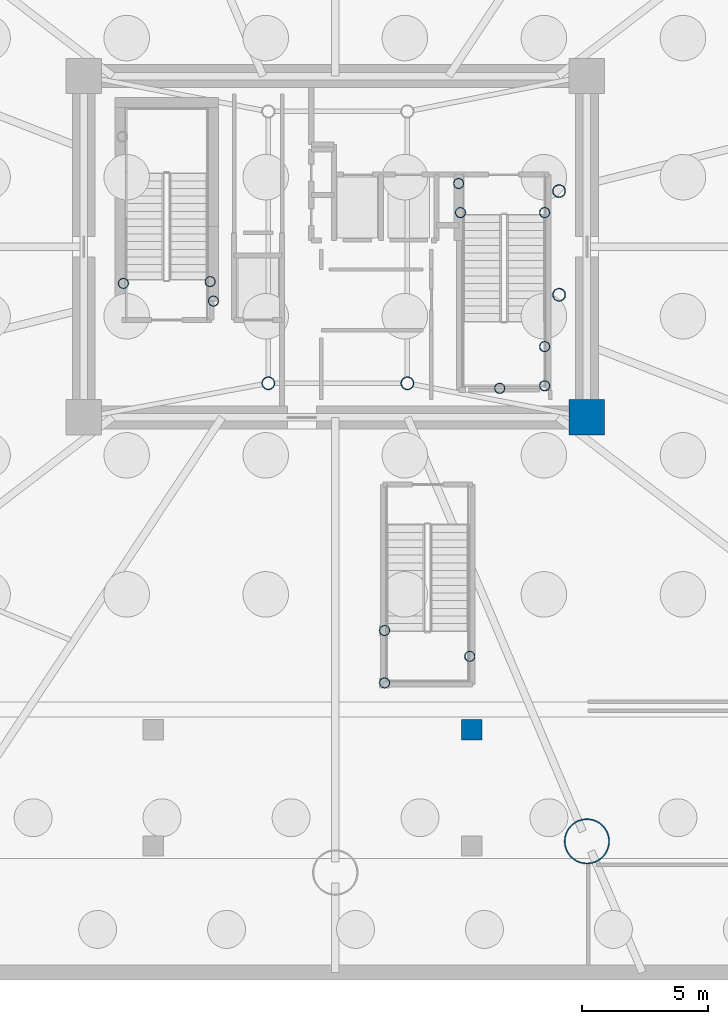
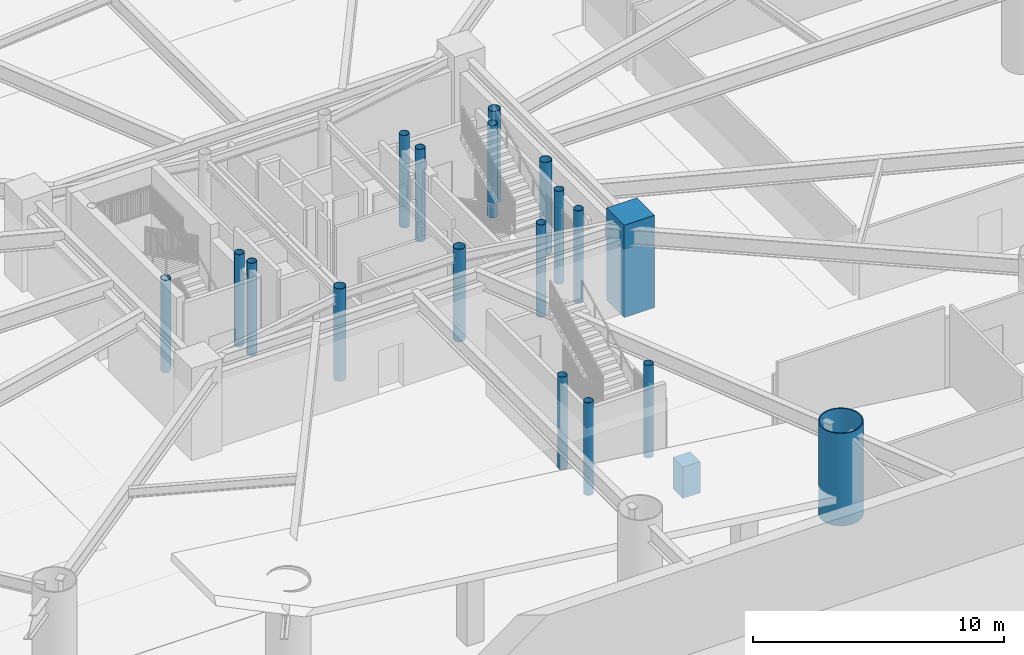
# One storey, part 2 of 18: 19 columns.
"""IFC4 building model written with IfcOpenShell, lengths in metres."""

from ifc_helpers import new_model, si_unit, direction, frame, origin, origin_2d, place, context, subcontext, project, spatial, rectangle, hollow_circle, extrude, material, material_profile, profile_set, type_object, element, save


model = new_model("IFC4")

# Units and contexts
model_context = context("Model", 3, precision=1e-05, world=origin(), true_north=direction((0.0, 1.0)))
body_context = subcontext(model_context, "Body", "Model", "MODEL_VIEW")
ifc_project = project(units=[si_unit("LENGTHUNIT", "METRE"), si_unit("AREAUNIT", "SQUARE_METRE"), si_unit("VOLUMEUNIT", "CUBIC_METRE"), si_unit("PLANEANGLEUNIT", "RADIAN"), si_unit("MASSUNIT", "GRAM", prefix="KILO")], contexts=[model_context])

# Site, building, storey
site_placement = place(None, origin())
site = spatial("IfcSite", under=ifc_project, at=site_placement, CompositionType="ELEMENT")
building_placement = place(site_placement, origin())
building = spatial("IfcBuilding", under=site, at=building_placement, Name="Linh Dai School and Residence Tower", CompositionType="ELEMENT")
storey_placement = place(building_placement, frame((0.0, 0.0, -9.0)))
storey = spatial("IfcBuildingStorey", under=building, at=storey_placement, Name="B02", CompositionType="ELEMENT", Elevation=-9.0)

# Columns
ifc_material_1 = material(Name="Concrete B60 (C50/60)", Category="concrete")
ifc_material_profile_1 = material_profile(ifc_material_1, rectangle(XDim=1.39990234375, YDim=1.39990234375, at=origin_2d()), Name="RC 1400x1400")
ifc_profile_set_1 = profile_set([ifc_material_profile_1], Name="Concrete B60 (C50/60)")
column_type_1 = type_object("IfcColumnType", Name="COL-CC1", PredefinedType="COLUMN", material=ifc_profile_set_1)
column_1_placement = place(storey_placement, frame((45.949951171875, 20.25, 0.0), z_axis=(0.0, 0.0, 1.0), x_axis=(1.0, 0.0, 0.0)))
element("IfcColumn", 1, at=column_1_placement, inside=storey, type_object=column_type_1, Name="B02 Core Corner Pier CC2", PredefinedType="COLUMN", context=body_context, shape_type="SweptSolid", body=[
    extrude(rectangle(XDim=1.39990234375, YDim=1.39990234375, at=origin_2d()), origin(), (0.0, 0.0, 1.0), 4.5),
])
ifc_material_2 = material(Name="Concrete B45 (C35/45)", Category="concrete")
ifc_material_profile_2 = material_profile(ifc_material_2, rectangle(XDim=0.800048828125, YDim=0.800048828125, at=origin_2d()), Name="RC 800x800")
ifc_profile_set_2 = profile_set([ifc_material_profile_2], Name="Concrete B45 (C35/45)")
column_type_2 = type_object("IfcColumnType", Name="COL-CC5", PredefinedType="COLUMN", material=ifc_profile_set_2)
column_2_placement = place(storey_placement, frame((41.39990234375, 7.89990234375, 0.0), z_axis=(0.0, 0.0, 1.0), x_axis=(1.0, 0.0, 0.0)))
element("IfcColumn", 2, at=column_2_placement, inside=storey, type_object=column_type_2, Name="VR1 Ramp Support Pier", PredefinedType="COLUMN", context=body_context, shape_type="SweptSolid", body=[
    extrude(rectangle(XDim=0.800048828125, YDim=0.800048828125, at=origin_2d()), origin(), (0.0, 0.0, 1.0), 1.52490234375),
])
ifc_material_3 = material(Name="Structural Steel S355JR", Category="steel")
ifc_material_profile_3 = material_profile(ifc_material_3, hollow_circle(Radius=0.203125, WallThickness=0.01611328125, at=origin_2d()), Name="CHS 406.4x16")
ifc_profile_set_3 = profile_set([ifc_material_profile_3], Name="Structural Steel S355JR")
column_type_3 = type_object("IfcColumnType", Name="COL-EC", PredefinedType="COLUMN", material=ifc_profile_set_3)
for number, where, z_axis, x_axis, name in (
    (3, (31.050048828125, 25.6201171875, 0.0), (0.0, 0.0, 1.0), (1.0, 0.0, 0.0), "B02 Stair Shaft Landing Support Pier ST1SE"),
    (4, (31.179931640625, 24.85009765625, 0.0), (0.0, 0.0, 1.0), (1.0, 0.0, 0.0), "B02 Stair Shaft Landing Support Pier ST1SM"),
    (5, (27.6201171875, 25.550048828125, 0.0), (0.0, 0.0, 1.0), (1.0, 0.0, 0.0), "B02 Stair Shaft Landing Support Pier ST1SW"),
    (6, (44.280029296875, 21.5, 0.0), (0.0, 0.0, 1.0), (1.0, 0.0, 0.0), "B02 Stair Shaft Landing Support Pier ST2SE"),
    (7, (44.280029296875, 23.050048828125, 0.0), (0.0, 0.0, 1.0), (1.0, 0.0, 0.0), "B02 Stair Shaft Landing Support Pier ST2NE"),
    (8, (42.5, 21.39990234375, 0.0), (0.0, 0.0, 1.0), (1.0, 0.0, 0.0), "B02 Stair Shaft Landing Support Pier ST2MS"),
    (9, (40.949951171875, 28.35009765625, 0.0), (0.0, 0.0, 1.0), (1.0, 0.0, 0.0), "B02 Stair Shaft Landing Support Pier ST2N1"),
    (10, (44.280029296875, 28.35009765625, 0.0), (0.0, 0.0, 1.0), (1.0, 0.0, 0.0), "B02 Stair Shaft Landing Support Pier ST2N2"),
    (11, (40.8798828125, 29.5, 0.0), (0.0, 0.0, 1.0), (1.0, 0.0, 0.0), "B02 Stair Shaft Landing Support Pier ST2N3"),
    (12, (37.949951171875, 9.75, 0.0), (0.0, 0.0, 1.0), (1.0, 0.0, 0.0), "B02 Stair Shaft Landing Support Pier STB1SW"),
    (13, (37.949951171875, 11.820068359375, 0.0), (0.0, 0.0, 1.0), (1.0, 0.0, 0.0), "B02 Stair Shaft Landing Support Pier STB1NW"),
    (14, (41.320068359375, 10.800048828125, 0.0), (0.0, 0.0, 1.0), (1.0, 0.0, 0.0), "B02 Stair Shaft Landing Support Pier STB1ME"),
):
    element("IfcColumn", number, at=place(storey_placement, frame(where, z_axis=z_axis, x_axis=x_axis)), inside=storey, type_object=column_type_3, Name=name, PredefinedType="COLUMN", context=body_context, shape_type="SweptSolid", body=[
        extrude(hollow_circle(Radius=0.203125, WallThickness=0.01611328125, at=origin_2d()), origin(), (0.0, 0.0, 1.0), 4.5),
    ])
ifc_material_profile_4 = material_profile(ifc_material_3, hollow_circle(Radius=0.89990234375, WallThickness=0.050048828125, at=origin_2d()), Name="CHS 1800x50")
ifc_profile_set_4 = profile_set([ifc_material_profile_4], Name="Structural Steel S355JR")
column_type_4 = type_object("IfcColumnType", Name="COL-MC1", PredefinedType="COLUMN", material=ifc_profile_set_4)
column_3_placement = place(storey_placement, frame((45.951171875, 3.48388671875, 0.0), z_axis=(0.0, 0.0, 1.0), x_axis=(1.0, 0.0, 0.0)))
element("IfcColumn", 15, at=column_3_placement, inside=storey, type_object=column_type_4, Name="B02 Perimeter CFT Mega-Column MC14", PredefinedType="COLUMN", context=body_context, shape_type="SweptSolid", body=[
    extrude(hollow_circle(Radius=0.89990234375, WallThickness=0.050048828125, at=origin_2d()), origin(), (0.0, 0.0, 1.0), 4.5),
])
ifc_material_profile_5 = material_profile(ifc_material_3, hollow_circle(Radius=0.25390625, WallThickness=0.02001953125, at=origin_2d()), Name="CHS 508x20")
ifc_profile_set_5 = profile_set([ifc_material_profile_5], Name="Structural Steel S355JR")
column_type_5 = type_object("IfcColumnType", Name="COL-MCP", PredefinedType="COLUMN", material=ifc_profile_set_5)
for number, where, z_axis, x_axis, name in (
    (16, (33.35009765625, 21.60009765625, 0.0), (0.0, 0.0, 1.0), (1.0, 0.0, 0.0), "B02 Core Mast Support Pier MCP1"),
    (17, (38.85009765625, 21.60009765625, 0.0), (0.0, 0.0, 1.0), (1.0, 0.0, 0.0), "B02 Core Mast Support Pier MCP2"),
    (18, (44.85009765625, 25.10009765625, 0.0), (0.0, 0.0, 1.0), (1.0, 0.0, 0.0), "B02 Sky-Lounge Core Anchor Pier S"),
    (19, (44.85009765625, 29.199951171875, 0.0), (0.0, 0.0, 1.0), (1.0, 0.0, 0.0), "B02 Sky-Lounge Core Anchor Pier N"),
):
    element("IfcColumn", number, at=place(storey_placement, frame(where, z_axis=z_axis, x_axis=x_axis)), inside=storey, type_object=column_type_5, Name=name, PredefinedType="COLUMN", context=body_context, shape_type="SweptSolid", body=[
        extrude(hollow_circle(Radius=0.25390625, WallThickness=0.02001953125, at=origin_2d()), origin(), (0.0, 0.0, 1.0), 4.5),
    ])

save(model, "model.ifc")
